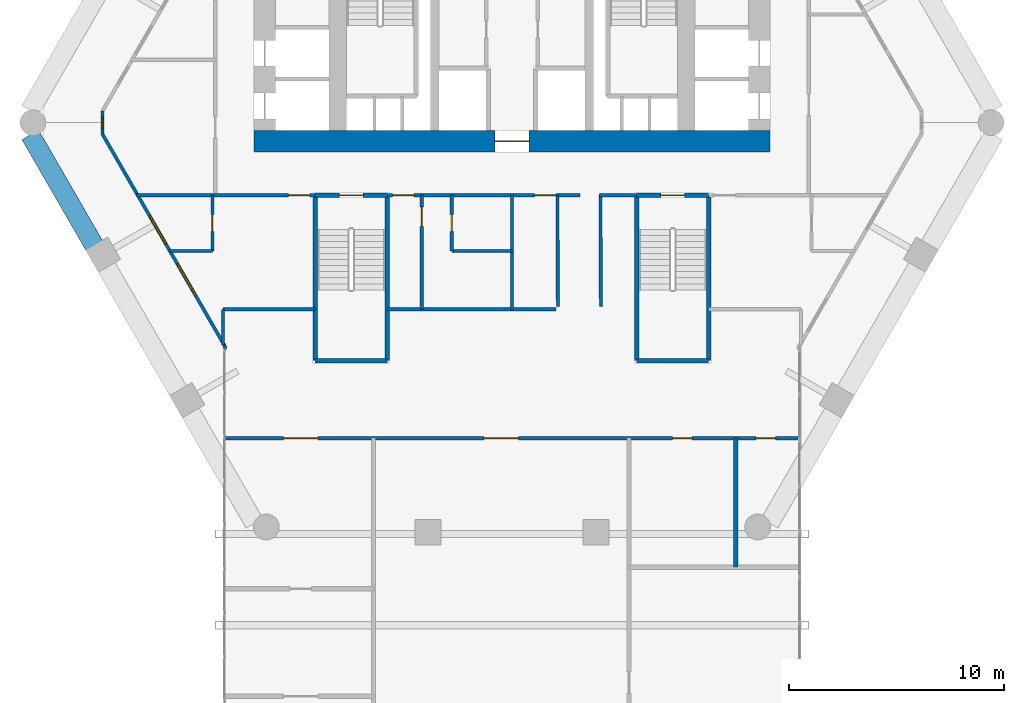
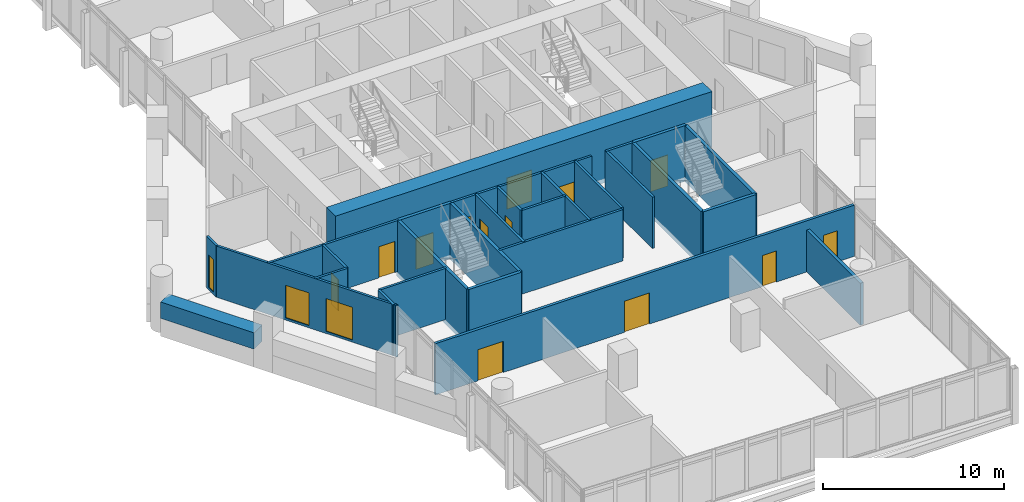
# One storey, part 23 of 28: 29 walls, 13 doors, 3 windows, 16 openings.
"""IFC4 building model written with IfcOpenShell, lengths in metres."""

from ifc_helpers import new_model, si_unit, direction, frame, frame_2d, origin, place, context, subcontext, project, spatial, rectangle, extrude, material, layer, layer_set, type_object, element, fill, save


model = new_model("IFC4")

# Units and contexts
model_context = context("Model", 3, precision=1e-05, world=origin(), true_north=direction((0.0, 1.0)))
body_context = subcontext(model_context, "Body", "Model", "MODEL_VIEW")
ifc_project = project(units=[si_unit("LENGTHUNIT", "METRE"), si_unit("AREAUNIT", "SQUARE_METRE"), si_unit("VOLUMEUNIT", "CUBIC_METRE"), si_unit("PLANEANGLEUNIT", "RADIAN"), si_unit("MASSUNIT", "GRAM", prefix="KILO")], contexts=[model_context])

# Site, building, storey
site_placement = place(None, origin())
site = spatial("IfcSite", under=ifc_project, at=site_placement, CompositionType="ELEMENT")
building_placement = place(site_placement, origin())
building = spatial("IfcBuilding", under=site, at=building_placement, Name="Ostrander Bayou Hotel Tower", CompositionType="ELEMENT")
storey_placement = place(building_placement, frame((0.0, 0.0, 100.5)))
storey = spatial("IfcBuildingStorey", under=building, at=storey_placement, Name="L25", CompositionType="ELEMENT", Elevation=100.5)

# Wall, opening, door
ifc_material_1 = material(Name="Concrete f'c 70 MPa", Category="concrete")
ifc_layer_1 = layer(ifc_material_1, 1.0)
ifc_layer_set_1 = layer_set([ifc_layer_1], Name="CW4 core wall 1000 mm f'c 70 MPa")
wall_type_1 = type_object("IfcWallType", Name="CW4 core wall 1000 mm f'c 70 MPa", PredefinedType="SHEAR", material=ifc_layer_set_1)
wall_1_placement = place(storey_placement, frame((-12.0, -1.199951171875, -0.300048828125), z_axis=(0.0, 0.0, 1.0), x_axis=(1.0, 0.0, 0.0)))
wall_1 = element("IfcWall", 1, at=wall_1_placement, inside=storey, type_object=wall_type_1, Name="CW4 L25 S", PredefinedType="SHEAR", context=body_context, shape_type="SweptSolid", body=[
    extrude(rectangle(XDim=24.0, YDim=1.0, at=frame_2d((12.0, 0.0))), origin(), (0.0, 0.0, 1.0), 3.75),
])
opening_1_placement = place(wall_1_placement, frame((11.199951171875, 0.0, 0.0)))
opening_1 = element("IfcOpeningElement", 2, at=opening_1_placement, cuts=wall_1, Name="Opening T25-001", PredefinedType="OPENING", context=body_context, shape_type="SweptSolid", body=[
    extrude(rectangle(XDim=1.60009765625, YDim=2.10009765625, at=frame_2d((0.800048828125, 1.050048828125))), frame((0.0, 0.5, 0.0), z_axis=(0.0, -1.0, 0.0), x_axis=(1.0, 0.0, 0.0)), (0.0, 0.0, 1.0), 1.0),
])
ifc_material_2 = material(Name="Timber door leaf", Category="wood")
door_type_1 = type_object("IfcDoorType", Name="D13 double door 1600 x 2100 mm, 1 hour", OperationType="SINGLE_SWING_LEFT", PredefinedType="DOOR", material=ifc_material_2)
door_1_placement = place(opening_1_placement, origin())
door_1 = element("IfcDoor", 3, at=door_1_placement, inside=storey, type_object=door_type_1, Name="dr:L25:001", OperationType="DOUBLE_DOOR_SINGLE_SWING", OverallHeight=2.10009765625, OverallWidth=1.60009765625, PredefinedType="DOOR", context=body_context, shape_type="SweptSolid", body=[
    extrude(rectangle(XDim=1.60009765625, YDim=2.10009765625, at=frame_2d((0.800048828125, 1.050048828125))), frame((0.0, 0.02490234375, 0.0), z_axis=(0.0, -1.0, 0.0), x_axis=(1.0, 0.0, 0.0)), (0.0, 0.0, 1.0), 0.050048828125),
])
fill(opening_1, door_1)

# Wall, openings, windows
ifc_material_3 = material(Name="Aluminium framed insulated wall", Category="aluminium")
ifc_layer_2 = layer(ifc_material_3, 0.14990234375)
ifc_layer_set_2 = layer_set([ifc_layer_2], Name="GW1 glass-line wall 150 mm")
wall_type_2 = type_object("IfcWallType", Name="GW1 glass-line wall 150 mm", PredefinedType="SOLIDWALL", material=ifc_layer_set_2)
wall_2_placement = place(storey_placement, frame((-19.046875, -0.85986328125, 0.0), z_axis=(0.0, 0.0, 1.0), x_axis=(0.499999897272, -0.866025463095, 0.0)))
wall_2 = element("IfcWall", 4, at=wall_2_placement, inside=storey, type_object=wall_type_2, Name="GW1 L25 SW 1", PredefinedType="SOLIDWALL", context=body_context, shape_type="SweptSolid", body=[
    extrude(rectangle(XDim=11.42578125, YDim=0.14990234375, at=frame_2d((5.712890625, 0.0))), origin(), (0.0, 0.0, 1.0), 3.449951171875),
])
opening_2_placement = place(wall_2_placement, frame((4.40576171875, 0.0, 0.14990234375)))
opening_2 = element("IfcOpeningElement", 5, at=opening_2_placement, cuts=wall_2, Name="Opening W12", PredefinedType="OPENING", context=body_context, shape_type="SweptSolid", body=[
    extrude(rectangle(XDim=1.5, YDim=2.199951171875, at=frame_2d((0.75, 1.10009765625))), frame((0.0, 0.074951171875, 0.0), z_axis=(0.0, -1.0, 0.0), x_axis=(1.0, 0.0, 0.0)), (0.0, 0.0, 1.0), 0.14990234375),
])
opening_3_placement = place(wall_2_placement, frame((6.978759765625, 0.0, 0.14990234375)))
opening_3 = element("IfcOpeningElement", 6, at=opening_3_placement, cuts=wall_2, Name="Opening W8", PredefinedType="OPENING", context=body_context, shape_type="SweptSolid", body=[
    extrude(rectangle(XDim=1.699951171875, YDim=2.199951171875, at=frame_2d((0.85009765625, 1.10009765625))), frame((0.0, 0.074951171875, 0.0), z_axis=(0.0, -1.0, 0.0), x_axis=(1.0, 0.0, 0.0)), (0.0, 0.0, 1.0), 0.14990234375),
])
ifc_material_4 = material(Name="Aluminium and clear glass", Category="aluminium")
window_type_1 = type_object("IfcWindowType", Name="W12 fixed window 1500 mm, bath bay, zone 2", PartitioningType="SINGLE_PANEL", PredefinedType="WINDOW", material=ifc_material_4)
window_1_placement = place(opening_2_placement, origin())
window_1 = element("IfcWindow", 7, at=window_1_placement, inside=storey, type_object=window_type_1, Name="W12 L25 SW 1", OverallHeight=2.199951171875, OverallWidth=1.5, PartitioningType="SINGLE_PANEL", PredefinedType="WINDOW", context=body_context, shape_type="SweptSolid", body=[
    extrude(rectangle(XDim=1.5, YDim=2.199951171875, at=frame_2d((0.75, 1.10009765625))), frame((0.0, 0.030029296875, 0.0), z_axis=(0.0, -1.0, 0.0), x_axis=(1.0, 0.0, 0.0)), (0.0, 0.0, 1.0), 0.06005859375),
])
fill(opening_2, window_1)
ifc_material_5 = material(Name="Aluminium and clear glass", Category="aluminium")
window_type_2 = type_object("IfcWindowType", Name="W8 fixed window 1700 mm, bar storeys, zone 2", PartitioningType="SINGLE_PANEL", PredefinedType="WINDOW", material=ifc_material_5)
window_2_placement = place(opening_3_placement, origin())
window_2 = element("IfcWindow", 8, at=window_2_placement, inside=storey, type_object=window_type_2, Name="W8 L25 SW 2", OverallHeight=2.199951171875, OverallWidth=1.699951171875, PartitioningType="SINGLE_PANEL", PredefinedType="WINDOW", context=body_context, shape_type="SweptSolid", body=[
    extrude(rectangle(XDim=1.699951171875, YDim=2.199951171875, at=frame_2d((0.85009765625, 1.10009765625))), frame((0.0, 0.030029296875, 0.0), z_axis=(0.0, -1.0, 0.0), x_axis=(1.0, 0.0, 0.0)), (0.0, 0.0, 1.0), 0.06005859375),
])
fill(opening_3, window_2)

# Wall, opening, window
wall_3_placement = place(storey_placement, frame((-19.046875, 0.205078125, 0.0), z_axis=(0.0, 0.0, 1.0), x_axis=(0.0, -1.0, 0.0)))
wall_3 = element("IfcWall", 9, at=wall_3_placement, inside=storey, type_object=wall_type_2, Name="GW1 L25 corner 2", PredefinedType="SOLIDWALL", context=body_context, shape_type="SweptSolid", body=[
    extrude(rectangle(XDim=1.06494140625, YDim=0.14990234375, at=frame_2d((0.532470703125, 0.0))), origin(), (0.0, 0.0, 1.0), 3.449951171875),
])
opening_4_placement = place(wall_3_placement, frame((0.257568359375, 0.0, 0.14990234375)))
opening_4 = element("IfcOpeningElement", 10, at=opening_4_placement, cuts=wall_3, Name="Opening W19", PredefinedType="OPENING", context=body_context, shape_type="SweptSolid", body=[
    extrude(rectangle(XDim=0.550048828125, YDim=2.199951171875, at=frame_2d((0.27490234375, 1.10009765625))), frame((0.0, 0.074951171875, 0.0), z_axis=(0.0, -1.0, 0.0), x_axis=(1.0, 0.0, 0.0)), (0.0, 0.0, 1.0), 0.14990234375),
])
ifc_material_6 = material(Name="Aluminium and clear glass", Category="aluminium")
window_type_3 = type_object("IfcWindowType", Name="W19 corner window 550 mm", PartitioningType="SINGLE_PANEL", PredefinedType="WINDOW", material=ifc_material_6)
window_3_placement = place(opening_4_placement, origin())
window_3 = element("IfcWindow", 11, at=window_3_placement, inside=storey, type_object=window_type_3, Name="W19 L25 corner 2", OverallHeight=2.199951171875, OverallWidth=0.550048828125, PartitioningType="SINGLE_PANEL", PredefinedType="WINDOW", context=body_context, shape_type="SweptSolid", body=[
    extrude(rectangle(XDim=0.550048828125, YDim=2.199951171875, at=frame_2d((0.27490234375, 1.10009765625))), frame((0.0, 0.030029296875, 0.0), z_axis=(0.0, -1.0, 0.0), x_axis=(1.0, 0.0, 0.0)), (0.0, 0.0, 1.0), 0.06005859375),
])
fill(opening_4, window_3)

# Walls
wall_4_placement = place(storey_placement, frame((-13.333984375, -10.7548828125, 0.0), z_axis=(0.0, 0.0, 1.0), x_axis=(-0.337751931921, -0.941235163221, 0.0)))
element("IfcWall", 12, at=wall_4_placement, inside=storey, type_object=wall_type_2, Name="GW1 L25 bar joint 2", PredefinedType="SOLIDWALL", context=body_context, shape_type="SweptSolid", body=[
    extrude(rectangle(XDim=0.098388671875, YDim=0.14990234375, at=frame_2d((0.04931640625, 0.0))), origin(), (0.0, 0.0, 1.0), 3.449951171875),
])
ifc_material_7 = material(Name="Limestone masonry", Category="masonry")
ifc_layer_3 = layer(ifc_material_7, 0.89990234375)
ifc_layer_set_3 = layer_set([ifc_layer_3], Name="PA2 limestone parapet 900 mm")
wall_type_3 = type_object("IfcWallType", Name="PA2 limestone parapet 900 mm", PredefinedType="PARAPET", material=ifc_layer_set_3)
wall_5_placement = place(storey_placement, frame((-22.406494140625, -0.890869140625, 0.0), z_axis=(0.0, 0.0, 1.0), x_axis=(0.500001626982, -0.866024464444, 0.0)))
element("IfcWall", 13, at=wall_5_placement, inside=storey, type_object=wall_type_3, Name="PA2 L25 SW-1", PredefinedType="PARAPET", context=body_context, shape_type="SweptSolid", body=[
    extrude(rectangle(XDim=5.955078125, YDim=0.89990234375, at=frame_2d((2.9775390625, 0.0))), origin(), (0.0, 0.0, 1.0), 1.10009765625),
])
ifc_material_8 = material(Name="Gypsum board partition", Category="finish")
ifc_layer_4 = layer(ifc_material_8, 0.199951171875)
ifc_layer_set_4 = layer_set([ifc_layer_4], Name="PT3 demising wall 200 mm acoustic double stud, 1 hour")
wall_type_4 = type_object("IfcWallType", Name="PT3 demising wall 200 mm acoustic double stud, 1 hour", PredefinedType="PARTITIONING", material=ifc_layer_set_4)
wall_6_placement = place(storey_placement, frame((10.402099609375, -21.0, 0.0), z_axis=(0.0, 0.0, 1.0), x_axis=(0.0, 1.0, 0.0)))
element("IfcWall", 14, at=wall_6_placement, inside=storey, type_object=wall_type_4, Name="sw:L25:512", PredefinedType="PARTITIONING", context=body_context, shape_type="SweptSolid", body=[
    extrude(rectangle(XDim=6.0, YDim=0.199951171875, at=frame_2d((3.0, 0.0))), origin(), (0.0, 0.0, 1.0), 2.828125),
])

# Wall, openings, doors
ifc_material_9 = material(Name="Gypsum board partition", Category="finish")
ifc_layer_5 = layer(ifc_material_9, 0.175048828125)
ifc_layer_set_5 = layer_set([ifc_layer_5], Name="PT4 corridor wall 175 mm, 1 hour")
wall_type_5 = type_object("IfcWallType", Name="PT4 corridor wall 175 mm, 1 hour", PredefinedType="PARTITIONING", material=ifc_layer_set_5)
wall_7_placement = place(storey_placement, frame((-13.34814453125, -15.0, 0.0), z_axis=(0.0, 0.0, 1.0), x_axis=(1.0, 0.0, 0.0)))
wall_7 = element("IfcWall", 15, at=wall_7_placement, inside=storey, type_object=wall_type_5, Name="sw:L25:500", PredefinedType="PARTITIONING", context=body_context, shape_type="SweptSolid", body=[
    extrude(rectangle(XDim=26.6962890625, YDim=0.175048828125, at=frame_2d((13.34814453125, 0.0))), origin(), (0.0, 0.0, 1.0), 3.449951171875),
])
opening_5_placement = place(wall_7_placement, frame((2.720947265625, 0.0, 0.0)))
opening_5 = element("IfcOpeningElement", 16, at=opening_5_placement, cuts=wall_7, Name="Opening T25-1200", PredefinedType="OPENING", context=body_context, shape_type="SweptSolid", body=[
    extrude(rectangle(XDim=1.60009765625, YDim=2.10009765625, at=frame_2d((0.800048828125, 1.050048828125))), frame((0.0, 0.08740234375, 0.0), z_axis=(0.0, -1.0, 0.0), x_axis=(1.0, 0.0, 0.0)), (0.0, 0.0, 1.0), 0.175048828125),
])
opening_6_placement = place(wall_7_placement, frame((20.8203125, 0.0, 0.0)))
opening_6 = element("IfcOpeningElement", 17, at=opening_6_placement, cuts=wall_7, Name="Opening T25-1204", PredefinedType="OPENING", context=body_context, shape_type="SweptSolid", body=[
    extrude(rectangle(XDim=0.89990234375, YDim=2.10009765625, at=frame_2d((0.449951171875, 1.050048828125))), frame((0.0, 0.08740234375, 0.0), z_axis=(0.0, -1.0, 0.0), x_axis=(1.0, 0.0, 0.0)), (0.0, 0.0, 1.0), 0.175048828125),
])
opening_7_placement = place(wall_7_placement, frame((24.705322265625, 0.0, 0.0)))
opening_7 = element("IfcOpeningElement", 18, at=opening_7_placement, cuts=wall_7, Name="Opening T25-1205", PredefinedType="OPENING", context=body_context, shape_type="SweptSolid", body=[
    extrude(rectangle(XDim=0.89990234375, YDim=2.10009765625, at=frame_2d((0.449951171875, 1.050048828125))), frame((0.0, 0.08740234375, 0.0), z_axis=(0.0, -1.0, 0.0), x_axis=(1.0, 0.0, 0.0)), (0.0, 0.0, 1.0), 0.175048828125),
])
opening_8_placement = place(wall_7_placement, frame((12.048095703125, 0.0, 0.0)))
opening_8 = element("IfcOpeningElement", 19, at=opening_8_placement, cuts=wall_7, Name="Opening T25-1206", PredefinedType="OPENING", context=body_context, shape_type="SweptSolid", body=[
    extrude(rectangle(XDim=1.60009765625, YDim=2.10009765625, at=frame_2d((0.800048828125, 1.050048828125))), frame((0.0, 0.08740234375, 0.0), z_axis=(0.0, -1.0, 0.0), x_axis=(1.0, 0.0, 0.0)), (0.0, 0.0, 1.0), 0.175048828125),
])
door_2_placement = place(opening_5_placement, origin())
door_2 = element("IfcDoor", 20, at=door_2_placement, inside=storey, type_object=door_type_1, Name="dr:L25:1200", OperationType="DOUBLE_DOOR_SINGLE_SWING", OverallHeight=2.10009765625, OverallWidth=1.60009765625, PredefinedType="DOOR", context=body_context, shape_type="SweptSolid", body=[
    extrude(rectangle(XDim=1.60009765625, YDim=2.10009765625, at=frame_2d((0.800048828125, 1.050048828125))), frame((0.0, 0.02490234375, 0.0), z_axis=(0.0, -1.0, 0.0), x_axis=(1.0, 0.0, 0.0)), (0.0, 0.0, 1.0), 0.050048828125),
])
fill(opening_5, door_2)
door_3_placement = place(opening_8_placement, origin())
door_3 = element("IfcDoor", 21, at=door_3_placement, inside=storey, type_object=door_type_1, Name="dr:L25:1206", OperationType="DOUBLE_DOOR_SINGLE_SWING", OverallHeight=2.10009765625, OverallWidth=1.60009765625, PredefinedType="DOOR", context=body_context, shape_type="SweptSolid", body=[
    extrude(rectangle(XDim=1.60009765625, YDim=2.10009765625, at=frame_2d((0.800048828125, 1.050048828125))), frame((0.0, 0.02490234375, 0.0), z_axis=(0.0, -1.0, 0.0), x_axis=(1.0, 0.0, 0.0)), (0.0, 0.0, 1.0), 0.050048828125),
])
fill(opening_8, door_3)
ifc_material_10 = material(Name="Timber door leaf", Category="wood")
door_type_2 = type_object("IfcDoorType", Name="D8 room door 900 x 2100 mm", OperationType="SINGLE_SWING_LEFT", PredefinedType="DOOR", material=ifc_material_10)
door_4_placement = place(opening_6_placement, origin())
door_4 = element("IfcDoor", 22, at=door_4_placement, inside=storey, type_object=door_type_2, Name="dr:L25:1204", OperationType="SINGLE_SWING_RIGHT", OverallHeight=2.10009765625, OverallWidth=0.89990234375, PredefinedType="DOOR", context=body_context, shape_type="SweptSolid", body=[
    extrude(rectangle(XDim=0.89990234375, YDim=2.10009765625, at=frame_2d((0.449951171875, 1.050048828125))), frame((0.0, 0.02490234375, 0.0), z_axis=(0.0, -1.0, 0.0), x_axis=(1.0, 0.0, 0.0)), (0.0, 0.0, 1.0), 0.050048828125),
])
fill(opening_6, door_4)
door_5_placement = place(opening_7_placement, origin())
door_5 = element("IfcDoor", 23, at=door_5_placement, inside=storey, type_object=door_type_2, Name="dr:L25:1205", OperationType="SINGLE_SWING_LEFT", OverallHeight=2.10009765625, OverallWidth=0.89990234375, PredefinedType="DOOR", context=body_context, shape_type="SweptSolid", body=[
    extrude(rectangle(XDim=0.89990234375, YDim=2.10009765625, at=frame_2d((0.449951171875, 1.050048828125))), frame((0.0, 0.02490234375, 0.0), z_axis=(0.0, -1.0, 0.0), x_axis=(1.0, 0.0, 0.0)), (0.0, 0.0, 1.0), 0.050048828125),
])
fill(opening_7, door_5)

# Walls
ifc_material_11 = material(Name="Gypsum board partition", Category="finish")
ifc_layer_6 = layer(ifc_material_11, 0.14990234375)
ifc_layer_set_6 = layer_set([ifc_layer_6], Name="PT8 service band wall 150 mm, 1 hour")
wall_type_6 = type_object("IfcWallType", Name="PT8 service band wall 150 mm, 1 hour", PredefinedType="PARTITIONING", material=ifc_layer_set_6)
wall_8_placement = place(storey_placement, frame((-13.43994140625, -9.010009765625, 0.0), z_axis=(0.0, 0.0, 1.0), x_axis=(1.0, 0.0, 0.0)))
element("IfcWall", 24, at=wall_8_placement, inside=storey, type_object=wall_type_6, Name="gw:L25:001", PredefinedType="PARTITIONING", context=body_context, shape_type="SweptSolid", body=[
    extrude(rectangle(XDim=4.280029296875, YDim=0.14990234375, at=frame_2d((2.14013671875, 0.0))), origin(), (0.0, 0.0, 1.0), 3.449951171875),
])
wall_9_placement = place(storey_placement, frame((-5.7900390625, -9.010009765625, 0.0), z_axis=(0.0, 0.0, 1.0), x_axis=(1.0, 0.0, 0.0)))
element("IfcWall", 25, at=wall_9_placement, inside=storey, type_object=wall_type_6, Name="gw:L25:002", PredefinedType="PARTITIONING", context=body_context, shape_type="SweptSolid", body=[
    extrude(rectangle(XDim=7.844970703125, YDim=0.14990234375, at=frame_2d((3.92236328125, 0.0))), origin(), (0.0, 0.0, 1.0), 3.449951171875),
])
wall_10_placement = place(storey_placement, frame((-15.9580078125, -6.300048828125, 0.0), z_axis=(0.0, 0.0, 1.0), x_axis=(1.0, 0.0, 0.0)))
element("IfcWall", 26, at=wall_10_placement, inside=storey, type_object=wall_type_6, Name="gw:L25:004", PredefinedType="PARTITIONING", context=body_context, shape_type="SweptSolid", body=[
    extrude(rectangle(XDim=2.028076171875, YDim=0.14990234375, at=frame_2d((1.01416015625, 0.0))), origin(), (0.0, 0.0, 1.0), 3.449951171875),
])
wall_11_placement = place(storey_placement, frame((-2.800048828125, -6.300048828125, 0.0), z_axis=(0.0, 0.0, 1.0), x_axis=(1.0, 0.0, 0.0)))
element("IfcWall", 27, at=wall_11_placement, inside=storey, type_object=wall_type_6, Name="gw:L25:005", PredefinedType="PARTITIONING", context=body_context, shape_type="SweptSolid", body=[
    extrude(rectangle(XDim=2.800048828125, YDim=0.14990234375, at=frame_2d((1.39990234375, 0.0))), origin(), (0.0, 0.0, 1.0), 3.449951171875),
])

# Wall, opening, door
wall_12_placement = place(storey_placement, frame((-17.458984375, -3.699951171875, 0.0), z_axis=(0.0, 0.0, 1.0), x_axis=(1.0, 0.0, 0.0)))
wall_12 = element("IfcWall", 28, at=wall_12_placement, inside=storey, type_object=wall_type_6, Name="gw:L25:007", PredefinedType="PARTITIONING", context=body_context, shape_type="SweptSolid", body=[
    extrude(rectangle(XDim=8.299072265625, YDim=0.14990234375, at=frame_2d((4.1494140625, 0.0))), origin(), (0.0, 0.0, 1.0), 3.449951171875),
])
opening_9_placement = place(wall_12_placement, frame((7.05908203125, 0.0, 0.0)))
opening_9 = element("IfcOpeningElement", 29, at=opening_9_placement, cuts=wall_12, Name="Opening T25-403", PredefinedType="OPENING", context=body_context, shape_type="SweptSolid", body=[
    extrude(rectangle(XDim=1.0, YDim=2.10009765625, at=frame_2d((0.5, 1.050048828125))), frame((0.0, 0.074951171875, 0.0), z_axis=(0.0, -1.0, 0.0), x_axis=(1.0, 0.0, 0.0)), (0.0, 0.0, 1.0), 0.14990234375),
])
ifc_material_12 = material(Name="Timber door leaf", Category="wood")
door_type_3 = type_object("IfcDoorType", Name="D1 guest room door 1000 x 2100 mm, 30 minute", OperationType="SINGLE_SWING_LEFT", PredefinedType="DOOR", material=ifc_material_12)
door_6_placement = place(opening_9_placement, origin())
door_6 = element("IfcDoor", 30, at=door_6_placement, inside=storey, type_object=door_type_3, Name="dr:L25:403", OperationType="SINGLE_SWING_RIGHT", OverallHeight=2.10009765625, OverallWidth=1.0, PredefinedType="DOOR", context=body_context, shape_type="SweptSolid", body=[
    extrude(rectangle(XDim=1.0, YDim=2.10009765625, at=frame_2d((0.5, 1.050048828125))), frame((0.0, 0.02490234375, 0.0), z_axis=(0.0, -1.0, 0.0), x_axis=(1.0, 0.0, 0.0)), (0.0, 0.0, 1.0), 0.050048828125),
])
fill(opening_9, door_6)

# Wall, openings, doors
wall_13_placement = place(storey_placement, frame((-5.7900390625, -3.699951171875, 0.0), z_axis=(0.0, 0.0, 1.0), x_axis=(1.0, 0.0, 0.0)))
wall_13 = element("IfcWall", 31, at=wall_13_placement, inside=storey, type_object=wall_type_6, Name="gw:L25:008", PredefinedType="PARTITIONING", context=body_context, shape_type="SweptSolid", body=[
    extrude(rectangle(XDim=8.945068359375, YDim=0.14990234375, at=frame_2d((4.47265625, 0.0))), origin(), (0.0, 0.0, 1.0), 3.449951171875),
])
opening_10_placement = place(wall_13_placement, frame((0.239990234375, 0.0, 0.0)))
opening_10 = element("IfcOpeningElement", 32, at=opening_10_placement, cuts=wall_13, Name="Opening T25-400", PredefinedType="OPENING", context=body_context, shape_type="SweptSolid", body=[
    extrude(rectangle(XDim=1.0, YDim=2.10009765625, at=frame_2d((0.5, 1.050048828125))), frame((0.0, 0.074951171875, 0.0), z_axis=(0.0, -1.0, 0.0), x_axis=(1.0, 0.0, 0.0)), (0.0, 0.0, 1.0), 0.14990234375),
])
opening_11_placement = place(wall_13_placement, frame((6.826904296875, 0.0, 0.0)))
opening_11 = element("IfcOpeningElement", 33, at=opening_11_placement, cuts=wall_13, Name="Opening T25-405", PredefinedType="OPENING", context=body_context, shape_type="SweptSolid", body=[
    extrude(rectangle(XDim=1.0, YDim=2.10009765625, at=frame_2d((0.5, 1.050048828125))), frame((0.0, 0.074951171875, 0.0), z_axis=(0.0, -1.0, 0.0), x_axis=(1.0, 0.0, 0.0)), (0.0, 0.0, 1.0), 0.14990234375),
])
door_7_placement = place(opening_10_placement, origin())
door_7 = element("IfcDoor", 34, at=door_7_placement, inside=storey, type_object=door_type_3, Name="dr:L25:400", OperationType="SINGLE_SWING_LEFT", OverallHeight=2.10009765625, OverallWidth=1.0, PredefinedType="DOOR", context=body_context, shape_type="SweptSolid", body=[
    extrude(rectangle(XDim=1.0, YDim=2.10009765625, at=frame_2d((0.5, 1.050048828125))), frame((0.0, 0.02490234375, 0.0), z_axis=(0.0, -1.0, 0.0), x_axis=(1.0, 0.0, 0.0)), (0.0, 0.0, 1.0), 0.050048828125),
])
fill(opening_10, door_7)
ifc_material_13 = material(Name="Timber door leaf", Category="wood")
door_type_4 = type_object("IfcDoorType", Name="D9 service door 1000 x 2100 mm, 30 minute", OperationType="SINGLE_SWING_LEFT", PredefinedType="DOOR", material=ifc_material_13)
door_8_placement = place(opening_11_placement, origin())
door_8 = element("IfcDoor", 35, at=door_8_placement, inside=storey, type_object=door_type_4, Name="dr:L25:405", OperationType="SINGLE_SWING_LEFT", OverallHeight=2.10009765625, OverallWidth=1.0, PredefinedType="DOOR", context=body_context, shape_type="SweptSolid", body=[
    extrude(rectangle(XDim=1.0, YDim=2.10009765625, at=frame_2d((0.5, 1.050048828125))), frame((0.0, 0.02490234375, 0.0), z_axis=(0.0, -1.0, 0.0), x_axis=(1.0, 0.0, 0.0)), (0.0, 0.0, 1.0), 0.050048828125),
])
fill(opening_11, door_8)

# Walls
wall_14_placement = place(storey_placement, frame((4.074951171875, -3.699951171875, 0.0), z_axis=(0.0, 0.0, 1.0), x_axis=(1.0, 0.0, 0.0)))
element("IfcWall", 36, at=wall_14_placement, inside=storey, type_object=wall_type_6, Name="gw:L25:009", PredefinedType="PARTITIONING", context=body_context, shape_type="SweptSolid", body=[
    extrude(rectangle(XDim=1.715087890625, YDim=0.14990234375, at=frame_2d((0.857421875, 0.0))), origin(), (0.0, 0.0, 1.0), 3.449951171875),
])
wall_15_placement = place(storey_placement, frame((0.0, -9.010009765625, 0.0), z_axis=(0.0, 0.0, 1.0), x_axis=(0.0, 1.0, 0.0)))
element("IfcWall", 37, at=wall_15_placement, inside=storey, type_object=wall_type_6, Name="gw:L25:019", PredefinedType="PARTITIONING", context=body_context, shape_type="SweptSolid", body=[
    extrude(rectangle(XDim=5.31005859375, YDim=0.14990234375, at=frame_2d((2.655029296875, 0.0))), origin(), (0.0, 0.0, 1.0), 3.449951171875),
])

# Wall, opening, door
wall_16_placement = place(storey_placement, frame((-2.800048828125, -6.300048828125, 0.0), z_axis=(0.0, 0.0, 1.0), x_axis=(0.0, 1.0, 0.0)))
wall_16 = element("IfcWall", 38, at=wall_16_placement, inside=storey, type_object=wall_type_6, Name="gw:L25:020", PredefinedType="PARTITIONING", context=body_context, shape_type="SweptSolid", body=[
    extrude(rectangle(XDim=2.60009765625, YDim=0.14990234375, at=frame_2d((1.300048828125, 0.0))), origin(), (0.0, 0.0, 1.0), 3.449951171875),
])
opening_12_placement = place(wall_16_placement, frame((0.89990234375, 0.0, 0.0)))
opening_12 = element("IfcOpeningElement", 39, at=opening_12_placement, cuts=wall_16, Name="Opening T25-402", PredefinedType="OPENING", context=body_context, shape_type="SweptSolid", body=[
    extrude(rectangle(XDim=0.800048828125, YDim=2.10009765625, at=frame_2d((0.39990234375, 1.050048828125))), frame((0.0, 0.074951171875, 0.0), z_axis=(0.0, -1.0, 0.0), x_axis=(1.0, 0.0, 0.0)), (0.0, 0.0, 1.0), 0.14990234375),
])
ifc_material_14 = material(Name="Timber door leaf", Category="wood")
door_type_5 = type_object("IfcDoorType", Name="D2 bathroom door 800 x 2100 mm", OperationType="SINGLE_SWING_LEFT", PredefinedType="DOOR", material=ifc_material_14)
door_9_placement = place(opening_12_placement, origin())
door_9 = element("IfcDoor", 40, at=door_9_placement, inside=storey, type_object=door_type_5, Name="dr:L25:402", OperationType="SINGLE_SWING_RIGHT", OverallHeight=2.10009765625, OverallWidth=0.800048828125, PredefinedType="DOOR", context=body_context, shape_type="SweptSolid", body=[
    extrude(rectangle(XDim=0.800048828125, YDim=2.10009765625, at=frame_2d((0.39990234375, 1.050048828125))), frame((0.0, 0.02490234375, 0.0), z_axis=(0.0, -1.0, 0.0), x_axis=(1.0, 0.0, 0.0)), (0.0, 0.0, 1.0), 0.050048828125),
])
fill(opening_12, door_9)

wall_17_placement = place(storey_placement, frame((-4.199951171875, -9.010009765625, 0.0), z_axis=(0.0, 0.0, 1.0), x_axis=(0.0, 1.0, 0.0)))
wall_17 = element("IfcWall", 41, at=wall_17_placement, inside=storey, type_object=wall_type_6, Name="gw:L25:021", PredefinedType="PARTITIONING", context=body_context, shape_type="SweptSolid", body=[
    extrude(rectangle(XDim=5.31005859375, YDim=0.14990234375, at=frame_2d((2.655029296875, 0.0))), origin(), (0.0, 0.0, 1.0), 3.449951171875),
])
opening_13_placement = place(wall_17_placement, frame((3.860107421875, 0.0, 0.0)))
opening_13 = element("IfcOpeningElement", 42, at=opening_13_placement, cuts=wall_17, Name="Opening T25-401", PredefinedType="OPENING", context=body_context, shape_type="SweptSolid", body=[
    extrude(rectangle(XDim=0.89990234375, YDim=2.10009765625, at=frame_2d((0.449951171875, 1.050048828125))), frame((0.0, 0.074951171875, 0.0), z_axis=(0.0, -1.0, 0.0), x_axis=(1.0, 0.0, 0.0)), (0.0, 0.0, 1.0), 0.14990234375),
])
door_10_placement = place(opening_13_placement, origin())
door_10 = element("IfcDoor", 43, at=door_10_placement, inside=storey, type_object=door_type_2, Name="dr:L25:401", OperationType="SINGLE_SWING_RIGHT", OverallHeight=2.10009765625, OverallWidth=0.89990234375, PredefinedType="DOOR", context=body_context, shape_type="SweptSolid", body=[
    extrude(rectangle(XDim=0.89990234375, YDim=2.10009765625, at=frame_2d((0.449951171875, 1.050048828125))), frame((0.0, 0.02490234375, 0.0), z_axis=(0.0, -1.0, 0.0), x_axis=(1.0, 0.0, 0.0)), (0.0, 0.0, 1.0), 0.050048828125),
])
fill(opening_13, door_10)

# Wall
wall_18_placement = place(storey_placement, frame((-13.43994140625, -10.660888671875, 0.0), z_axis=(0.0, 0.0, 1.0), x_axis=(0.0, 1.0, 0.0)))
element("IfcWall", 44, at=wall_18_placement, inside=storey, type_object=wall_type_6, Name="gw:L25:022", PredefinedType="PARTITIONING", context=body_context, shape_type="SweptSolid", body=[
    extrude(rectangle(XDim=1.65087890625, YDim=0.14990234375, at=frame_2d((0.825439453125, 0.0))), origin(), (0.0, 0.0, 1.0), 3.449951171875),
])

# Wall, opening, door
wall_19_placement = place(storey_placement, frame((-13.929931640625, -6.300048828125, 0.0), z_axis=(0.0, 0.0, 1.0), x_axis=(0.0, 1.0, 0.0)))
wall_19 = element("IfcWall", 45, at=wall_19_placement, inside=storey, type_object=wall_type_6, Name="gw:L25:025", PredefinedType="PARTITIONING", context=body_context, shape_type="SweptSolid", body=[
    extrude(rectangle(XDim=2.60009765625, YDim=0.14990234375, at=frame_2d((1.300048828125, 0.0))), origin(), (0.0, 0.0, 1.0), 3.449951171875),
])
opening_14_placement = place(wall_19_placement, frame((0.89990234375, 0.0, 0.0)))
opening_14 = element("IfcOpeningElement", 46, at=opening_14_placement, cuts=wall_19, Name="Opening T25-404", PredefinedType="OPENING", context=body_context, shape_type="SweptSolid", body=[
    extrude(rectangle(XDim=0.800048828125, YDim=2.10009765625, at=frame_2d((0.39990234375, 1.050048828125))), frame((0.0, 0.074951171875, 0.0), z_axis=(0.0, -1.0, 0.0), x_axis=(1.0, 0.0, 0.0)), (0.0, 0.0, 1.0), 0.14990234375),
])
door_11_placement = place(opening_14_placement, origin())
door_11 = element("IfcDoor", 47, at=door_11_placement, inside=storey, type_object=door_type_5, Name="dr:L25:404", OperationType="SINGLE_SWING_RIGHT", OverallHeight=2.10009765625, OverallWidth=0.800048828125, PredefinedType="DOOR", context=body_context, shape_type="SweptSolid", body=[
    extrude(rectangle(XDim=0.800048828125, YDim=2.10009765625, at=frame_2d((0.39990234375, 1.050048828125))), frame((0.0, 0.02490234375, 0.0), z_axis=(0.0, -1.0, 0.0), x_axis=(1.0, 0.0, 0.0)), (0.0, 0.0, 1.0), 0.050048828125),
])
fill(opening_14, door_11)

# Walls
wall_20_placement = place(storey_placement, frame((4.134033203125, -8.8701171875, 0.0), z_axis=(0.0, 0.0, 1.0), x_axis=(-0.003683216269, 0.999993216936, 0.0)))
element("IfcWall", 48, at=wall_20_placement, inside=storey, type_object=wall_type_6, Name="gw:L25:026", PredefinedType="PARTITIONING", context=body_context, shape_type="SweptSolid", body=[
    extrude(rectangle(XDim=5.170166015625, YDim=0.14990234375, at=frame_2d((2.5849609375, 0.0))), origin(), (0.0, 0.0, 1.0), 3.449951171875),
])
wall_21_placement = place(storey_placement, frame((2.134033203125, -8.8701171875, 0.0), z_axis=(0.0, 0.0, 1.0), x_axis=(-0.003686872276, 0.999993203463, 0.0)))
element("IfcWall", 49, at=wall_21_placement, inside=storey, type_object=wall_type_6, Name="gw:L25:027", PredefinedType="PARTITIONING", context=body_context, shape_type="SweptSolid", body=[
    extrude(rectangle(XDim=5.1650390625, YDim=0.14990234375, at=frame_2d((2.58251953125, 0.0))), origin(), (0.0, 0.0, 1.0), 3.449951171875),
])

# Wall, opening, door
ifc_material_15 = material(Name="Concrete f'c 45 MPa", Category="concrete")
ifc_layer_7 = layer(ifc_material_15, 0.199951171875)
ifc_layer_set_7 = layer_set([ifc_layer_7], Name="SW5 stair enclosure wall 200 mm f'c 45 MPa")
wall_type_7 = type_object("IfcWallType", Name="SW5 stair enclosure wall 200 mm f'c 45 MPa", PredefinedType="SOLIDWALL", material=ifc_layer_set_7)
wall_22_placement = place(storey_placement, frame((5.800048828125, -3.699951171875, -0.300048828125), z_axis=(0.0, 0.0, 1.0), x_axis=(1.0, 0.0, 0.0)))
wall_22 = element("IfcWall", 50, at=wall_22_placement, inside=storey, type_object=wall_type_7, Name="cs:L25:017", PredefinedType="SOLIDWALL", context=body_context, shape_type="SweptSolid", body=[
    extrude(rectangle(XDim=3.349853515625, YDim=0.199951171875, at=frame_2d((1.6748046875, 0.0))), origin(), (0.0, 0.0, 1.0), 3.75),
])
opening_15_placement = place(wall_22_placement, frame((1.125, 0.0, 0.0)))
opening_15 = element("IfcOpeningElement", 51, at=opening_15_placement, cuts=wall_22, Name="Opening T25-007", PredefinedType="OPENING", context=body_context, shape_type="SweptSolid", body=[
    extrude(rectangle(XDim=1.10009765625, YDim=2.10009765625, at=frame_2d((0.550048828125, 1.050048828125))), frame((0.0, 0.10009765625, 0.0), z_axis=(0.0, -1.0, 0.0), x_axis=(1.0, 0.0, 0.0)), (0.0, 0.0, 1.0), 0.199951171875),
])
ifc_material_16 = material(Name="Timber door leaf", Category="wood")
door_type_6 = type_object("IfcDoorType", Name="D5 stair door 1100 x 2100 mm, 90 minute", OperationType="SINGLE_SWING_LEFT", PredefinedType="DOOR", material=ifc_material_16)
door_12_placement = place(opening_15_placement, origin())
door_12 = element("IfcDoor", 52, at=door_12_placement, inside=storey, type_object=door_type_6, Name="dr:L25:007", OperationType="SINGLE_SWING_LEFT", OverallHeight=2.10009765625, OverallWidth=1.10009765625, PredefinedType="DOOR", context=body_context, shape_type="SweptSolid", body=[
    extrude(rectangle(XDim=1.10009765625, YDim=2.10009765625, at=frame_2d((0.550048828125, 1.050048828125))), frame((0.0, 0.02490234375, 0.0), z_axis=(0.0, -1.0, 0.0), x_axis=(1.0, 0.0, 0.0)), (0.0, 0.0, 1.0), 0.050048828125),
])
fill(opening_15, door_12)

# Walls
for number, where, z_axis, x_axis, name in (
    (53, (5.800048828125, -3.699951171875, -0.300048828125), (0.0, 0.0, 1.0), (0.0, -1.0, 0.0), "cs:L25:018"),
    (54, (9.14990234375, -3.699951171875, -0.300048828125), (0.0, 0.0, 1.0), (0.0, -1.0, 0.0), "cs:L25:019"),
):
    element("IfcWall", number, at=place(storey_placement, frame(where, z_axis=z_axis, x_axis=x_axis)), inside=storey, type_object=wall_type_7, Name=name, PredefinedType="SOLIDWALL", context=body_context, shape_type="SweptSolid", body=[
        extrude(rectangle(XDim=7.699951171875, YDim=0.199951171875, at=frame_2d((3.85009765625, 0.0))), origin(), (0.0, 0.0, 1.0), 3.75),
    ])
wall_23_placement = place(storey_placement, frame((5.800048828125, -11.39990234375, -0.300048828125), z_axis=(0.0, 0.0, 1.0), x_axis=(1.0, 0.0, 0.0)))
element("IfcWall", 55, at=wall_23_placement, inside=storey, type_object=wall_type_7, Name="cs:L25:020", PredefinedType="SOLIDWALL", context=body_context, shape_type="SweptSolid", body=[
    extrude(rectangle(XDim=3.349853515625, YDim=0.199951171875, at=frame_2d((1.6748046875, 0.0))), origin(), (0.0, 0.0, 1.0), 3.75),
])

# Wall, opening, door
wall_24_placement = place(storey_placement, frame((-9.14990234375, -3.699951171875, -0.300048828125), z_axis=(0.0, 0.0, 1.0), x_axis=(1.0, 0.0, 0.0)))
wall_24 = element("IfcWall", 56, at=wall_24_placement, inside=storey, type_object=wall_type_7, Name="cs:L25:021", PredefinedType="SOLIDWALL", context=body_context, shape_type="SweptSolid", body=[
    extrude(rectangle(XDim=3.349853515625, YDim=0.199951171875, at=frame_2d((1.6748046875, 0.0))), origin(), (0.0, 0.0, 1.0), 3.75),
])
opening_16_placement = place(wall_24_placement, frame((1.125, 0.0, 0.0)))
opening_16 = element("IfcOpeningElement", 57, at=opening_16_placement, cuts=wall_24, Name="Opening T25-008", PredefinedType="OPENING", context=body_context, shape_type="SweptSolid", body=[
    extrude(rectangle(XDim=1.10009765625, YDim=2.10009765625, at=frame_2d((0.550048828125, 1.050048828125))), frame((0.0, 0.10009765625, 0.0), z_axis=(0.0, -1.0, 0.0), x_axis=(1.0, 0.0, 0.0)), (0.0, 0.0, 1.0), 0.199951171875),
])
door_13_placement = place(opening_16_placement, origin())
door_13 = element("IfcDoor", 58, at=door_13_placement, inside=storey, type_object=door_type_6, Name="dr:L25:008", OperationType="SINGLE_SWING_LEFT", OverallHeight=2.10009765625, OverallWidth=1.10009765625, PredefinedType="DOOR", context=body_context, shape_type="SweptSolid", body=[
    extrude(rectangle(XDim=1.10009765625, YDim=2.10009765625, at=frame_2d((0.550048828125, 1.050048828125))), frame((0.0, 0.02490234375, 0.0), z_axis=(0.0, -1.0, 0.0), x_axis=(1.0, 0.0, 0.0)), (0.0, 0.0, 1.0), 0.050048828125),
])
fill(opening_16, door_13)

# Walls
for number, where, z_axis, x_axis, name in (
    (59, (-9.14990234375, -3.699951171875, -0.300048828125), (0.0, 0.0, 1.0), (0.0, -1.0, 0.0), "cs:L25:022"),
    (60, (-5.800048828125, -3.699951171875, -0.300048828125), (0.0, 0.0, 1.0), (0.0, -1.0, 0.0), "cs:L25:023"),
):
    element("IfcWall", number, at=place(storey_placement, frame(where, z_axis=z_axis, x_axis=x_axis)), inside=storey, type_object=wall_type_7, Name=name, PredefinedType="SOLIDWALL", context=body_context, shape_type="SweptSolid", body=[
        extrude(rectangle(XDim=7.699951171875, YDim=0.199951171875, at=frame_2d((3.85009765625, 0.0))), origin(), (0.0, 0.0, 1.0), 3.75),
    ])
wall_25_placement = place(storey_placement, frame((-9.14990234375, -11.39990234375, -0.300048828125), z_axis=(0.0, 0.0, 1.0), x_axis=(1.0, 0.0, 0.0)))
element("IfcWall", 61, at=wall_25_placement, inside=storey, type_object=wall_type_7, Name="cs:L25:024", PredefinedType="SOLIDWALL", context=body_context, shape_type="SweptSolid", body=[
    extrude(rectangle(XDim=3.349853515625, YDim=0.199951171875, at=frame_2d((1.6748046875, 0.0))), origin(), (0.0, 0.0, 1.0), 3.75),
])

save(model, "model.ifc")
